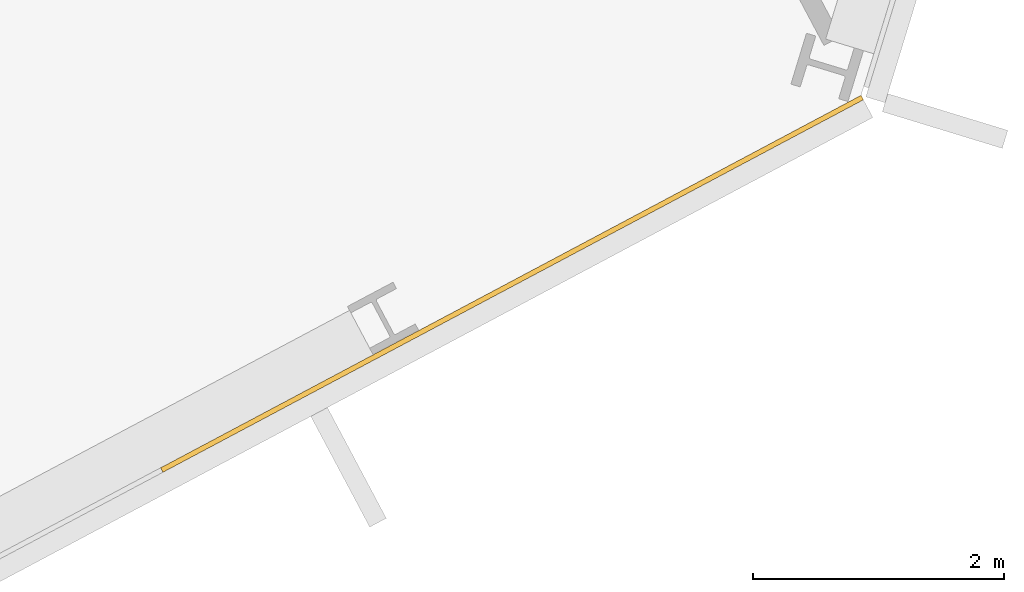
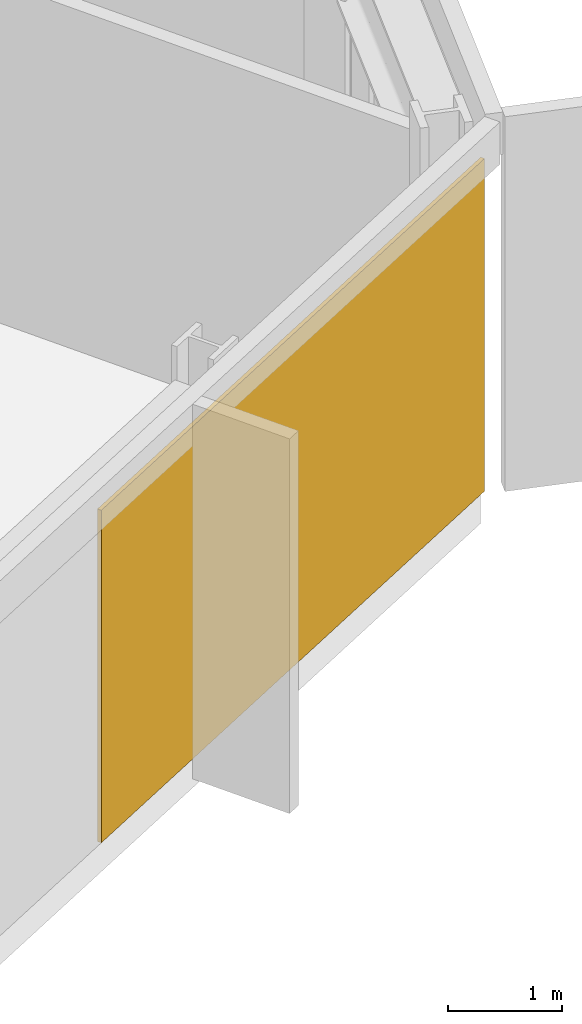
# One storey, part 26 of 28: 1 covering, 1 element without a shape of its own.
"""IFC4 building model written with IfcOpenShell, lengths in metres."""

from ifc_helpers import new_model, si_unit, direction, frame, origin, origin_2d, place, context, subcontext, project, spatial, rectangle, extrude, material, layer, layer_set, type_object, element, aggregate, save


model = new_model("IFC4")

# Units and contexts
model_context = context("Model", 3, precision=1e-05, world=origin(), true_north=direction((0.0, 1.0)))
body_context = subcontext(model_context, "Body", "Model", "MODEL_VIEW")
ifc_project = project(units=[si_unit("LENGTHUNIT", "METRE"), si_unit("AREAUNIT", "SQUARE_METRE"), si_unit("VOLUMEUNIT", "CUBIC_METRE"), si_unit("PLANEANGLEUNIT", "RADIAN"), si_unit("MASSUNIT", "GRAM", prefix="KILO")], contexts=[model_context])

# Site, building, storey
site_placement = place(None, origin())
site = spatial("IfcSite", under=ifc_project, at=site_placement, CompositionType="ELEMENT")
building_placement = place(site_placement, origin())
building = spatial("IfcBuilding", under=site, at=building_placement, Name="Cormorant Relay Tower", CompositionType="ELEMENT")
storey_placement = place(building_placement, frame((0.0, 0.0, 170.199951171875)))
storey = spatial("IfcBuildingStorey", under=building, at=storey_placement, Name="L36", CompositionType="ELEMENT", Elevation=170.199951171875)

# Curtain wall, covering
ifc_material_1 = material(Name="Aluminium 6063-T6 anodised bronze", Category="aluminium")
ifc_layer_1 = layer(ifc_material_1, 0.199951171875)
ifc_layer_set_1 = layer_set([ifc_layer_1], Name="CW1 unitised bronze curtain wall with vertical fins")
curtain_wall_type = type_object("IfcCurtainWallType", Name="CW1 unitised bronze curtain wall with vertical fins", PredefinedType="NOTDEFINED", material=ifc_layer_set_1)
curtain_wall_placement = place(storey_placement, origin())
curtain_wall = element("IfcCurtainWall", 1, at=curtain_wall_placement, inside=storey, type_object=curtain_wall_type, Name="CW1 curtain wall 4", PredefinedType="NOTDEFINED")
ifc_material_2 = material(Name="Pale bronze anodised aluminium insulated panel", Category="aluminium")
ifc_layer_2 = layer(ifc_material_2, 0.0400390625)
ifc_layer_set_2 = layer_set([ifc_layer_2], Name="CW1 pale bronze insulated panel 40")
covering_type = type_object("IfcCoveringType", Name="CW1 pale bronze insulated panel 40", PredefinedType="CLADDING", material=ifc_layer_set_2)
covering_placement = place(storey_placement, frame((52.93310546875, 6.603515625, 0.0), z_axis=(0.0, 0.0, 1.0), x_axis=(0.882947592859, 0.469471562786, 0.0)))
covering = element("IfcCovering", 2, at=covering_placement, type_object=covering_type, Name="CW1 panel S05", PredefinedType="CLADDING", context=body_context, shape_type="SweptSolid", body=[
    extrude(rectangle(XDim=6.324951171875, YDim=0.0400390625, at=origin_2d()), origin(), (0.0, 0.0, 1.0), 3.550048828125),
])
aggregate(curtain_wall, [covering])

save(model, "model.ifc")
